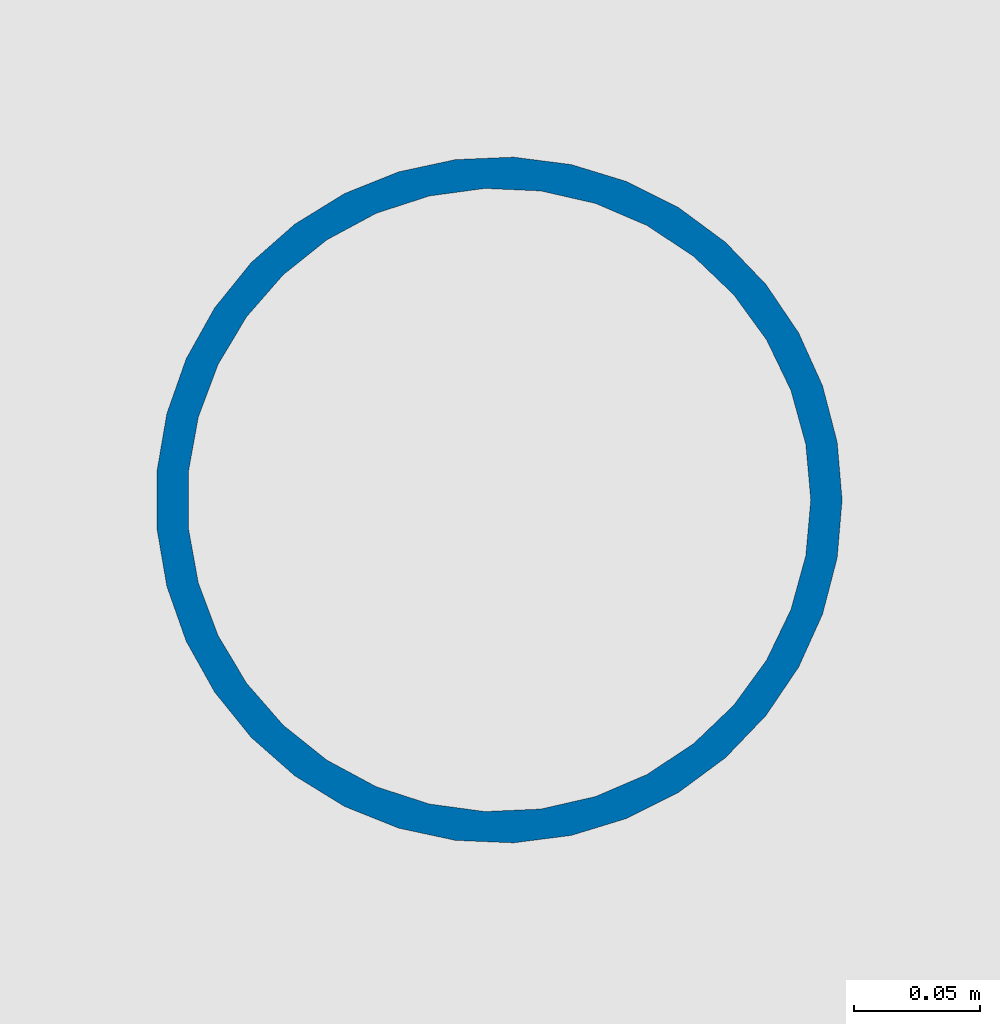
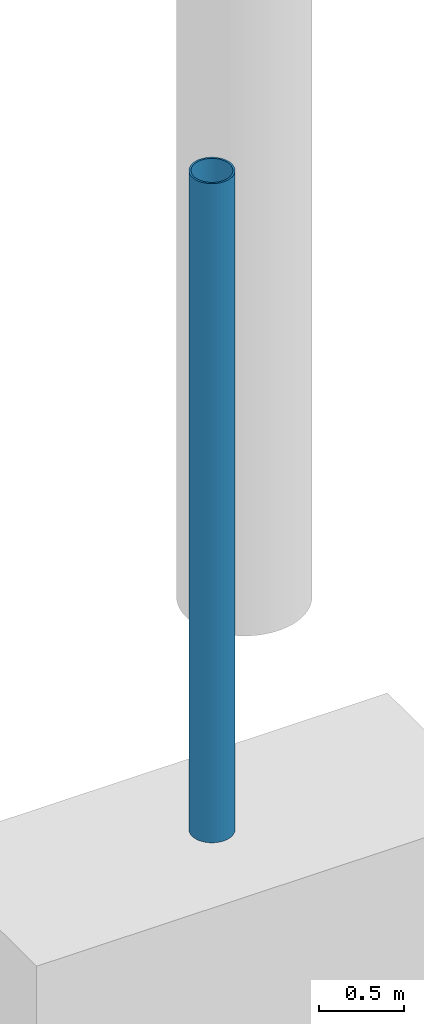
# One storey, part 11 of 41: 1 column.
"""IFC4 building model written with IfcOpenShell, lengths in metres."""

from ifc_helpers import new_model, si_unit, direction, frame, origin, origin_2d, place, context, subcontext, project, spatial, hollow_circle, extrude, material, material_profile, profile_set, type_object, element, save


model = new_model("IFC4")

# Units and contexts
model_context = context("Model", 3, precision=1e-05, world=origin(), true_north=direction((0.0, 1.0)))
body_context = subcontext(model_context, "Body", "Model", "MODEL_VIEW")
ifc_project = project(units=[si_unit("LENGTHUNIT", "METRE"), si_unit("AREAUNIT", "SQUARE_METRE"), si_unit("VOLUMEUNIT", "CUBIC_METRE"), si_unit("PLANEANGLEUNIT", "RADIAN"), si_unit("MASSUNIT", "GRAM", prefix="KILO")], contexts=[model_context])

# Site, building, storey
site_placement = place(None, origin())
site = spatial("IfcSite", under=ifc_project, at=site_placement, CompositionType="ELEMENT")
building_placement = place(site_placement, origin())
building = spatial("IfcBuilding", under=site, at=building_placement, Name="Shalvenor Court Art Gallery", CompositionType="ELEMENT")
storey_placement = place(building_placement, frame((0.0, 0.0, -5.39990234375)))
storey = spatial("IfcBuildingStorey", under=building, at=storey_placement, Name="B01", CompositionType="ELEMENT", Elevation=-5.39990234375)

# Column
ifc_material = material(Name="Steel S355", Category="steel")
ifc_material_profile = material_profile(ifc_material, hollow_circle(Radius=0.136474609375, WallThickness=0.012451171875, at=origin_2d()), Name="CHS 273.0x12.5")
ifc_profile_set = profile_set([ifc_material_profile], Name="Steel S355")
column_type = type_object("IfcColumnType", Name="C-11", PredefinedType="COLUMN", material=ifc_profile_set)
column_placement = place(storey_placement, frame((112.0, 56.800048828125, 0.0), z_axis=(0.0, 0.0, 1.0), x_axis=(1.0, 0.0, 0.0)))
element("IfcColumn", 1, at=column_placement, inside=storey, type_object=column_type, Name="B01 Terrace Stair Support Column COL-TST-B01-C-11-0787", PredefinedType="COLUMN", context=body_context, shape_type="SweptSolid", body=[
    extrude(hollow_circle(Radius=0.136474609375, WallThickness=0.012451171875, at=origin_2d()), origin(), (0.0, 0.0, 1.0), 4.75),
])

save(model, "model.ifc")
